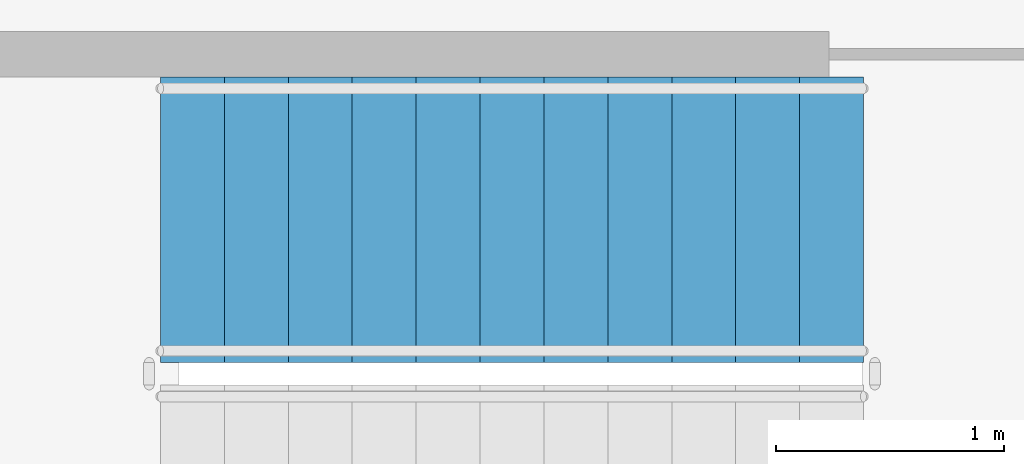
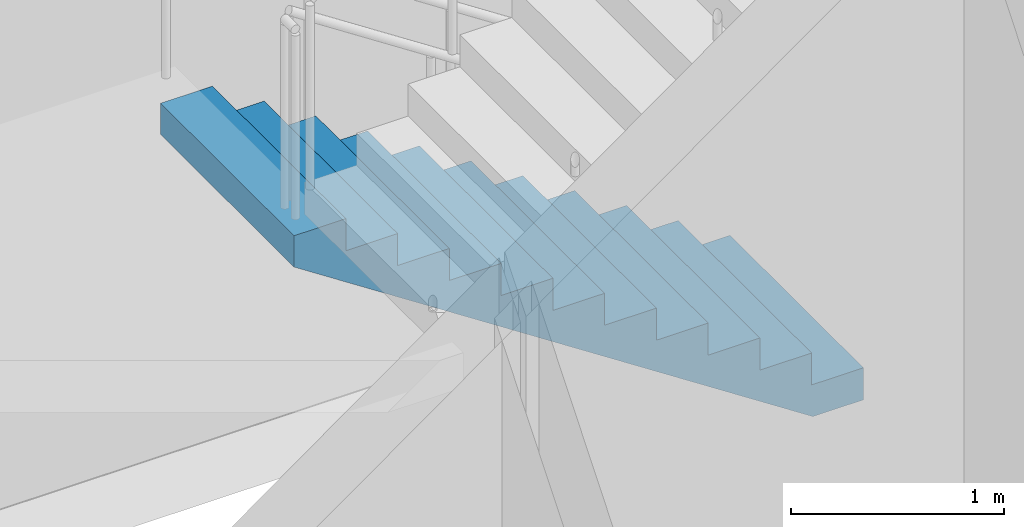
# One storey, part 16 of 21: 1 stair flight, 1 element without a shape of its own.
"""IFC4 building model written with IfcOpenShell, lengths in metres."""

from ifc_helpers import new_model, si_unit, direction, frame, origin, place, context, subcontext, project, spatial, line, indexed_curve, outline, extrude, material, type_object, element, aggregate, save


model = new_model("IFC4")

# Units and contexts
model_context = context("Model", 3, precision=1e-05, world=origin(), true_north=direction((0.0, 1.0)))
body_context = subcontext(model_context, "Body", "Model", "MODEL_VIEW")
ifc_project = project(units=[si_unit("LENGTHUNIT", "METRE"), si_unit("AREAUNIT", "SQUARE_METRE"), si_unit("VOLUMEUNIT", "CUBIC_METRE"), si_unit("PLANEANGLEUNIT", "RADIAN"), si_unit("MASSUNIT", "GRAM", prefix="KILO")], contexts=[model_context])

# Site, building, storey
site_placement = place(None, origin())
site = spatial("IfcSite", under=ifc_project, at=site_placement, CompositionType="ELEMENT")
building_placement = place(site_placement, origin())
building = spatial("IfcBuilding", under=site, at=building_placement, Name="Spindrift Exchange Tower", CompositionType="ELEMENT")
storey_placement = place(building_placement, frame((0.0, 0.0, 18.199951171875)))
storey = spatial("IfcBuildingStorey", under=building, at=storey_placement, Name="L04", CompositionType="ELEMENT", Elevation=18.199951171875)

# Stair, stair flight
ifc_material = material(Name="Concrete 50 MPa", Category="concrete")
stair_type = type_object("IfcStairType", Name="ST-1250-R183", PredefinedType="HALF_TURN_STAIR", material=ifc_material)
stair_placement = place(storey_placement, origin())
stair = element("IfcStair", 1, at=stair_placement, inside=storey, type_object=stair_type, Name="L04 Exit stair ST1", PredefinedType="HALF_TURN_STAIR")
stair_flight_type = type_object("IfcStairFlightType", Name="STF-1250-R183", PredefinedType="STRAIGHT", material=ifc_material)
stair_flight_placement = place(storey_placement, frame((49.050048828125, 54.47509765625, 0.0), z_axis=(0.0, 0.0, 1.0), x_axis=(-1.0, 0.0, 0.0)))
stair_flight = element("IfcStairFlight", 2, at=stair_flight_placement, type_object=stair_flight_type, Name="ST1 flight 1", NumberOfRisers=12, NumberOfTreads=11, PredefinedType="STRAIGHT", RiserHeight=0.183333333, TreadLength=0.28, context=body_context, shape_type="SweptSolid", body=[
    extrude(outline(indexed_curve([(0.0, 0.0), (0.0, 0.18359375), (0.2802734375, 0.18359375), (0.2802734375, 0.3662109375), (0.5595703125, 0.3662109375), (0.5595703125, 0.5498046875), (0.83984375, 0.5498046875), (0.83984375, 0.7333984375), (1.1201171875, 0.7333984375), (1.1201171875, 0.9169921875), (1.400390625, 0.9169921875), (1.400390625, 1.099609375), (1.6796875, 1.099609375), (1.6796875, 1.283203125), (1.9599609375, 1.283203125), (1.9599609375, 1.466796875), (2.240234375, 1.466796875), (2.240234375, 1.650390625), (2.51953125, 1.650390625), (2.51953125, 1.8330078125), (2.7998046875, 1.8330078125), (2.7998046875, 2.0166015625), (3.080078125, 2.0166015625), (3.080078125, 2.2001953125), (3.080078125, 1.837890625), (0.2734375, 0.0)], segments=[line(1, 2, 3, 4, 5, 6, 7, 8, 9, 10, 11, 12, 13, 14, 15, 16, 17, 18, 19, 20, 21, 22, 23, 24, 25, 26, 1)], self_intersect=False)), frame((0.0, 0.625, 0.0), z_axis=(0.0, -1.0, 0.0), x_axis=(1.0, 0.0, 0.0)), (0.0, 0.0, 1.0), 1.25),
])
aggregate(stair, [stair_flight])

save(model, "model.ifc")
